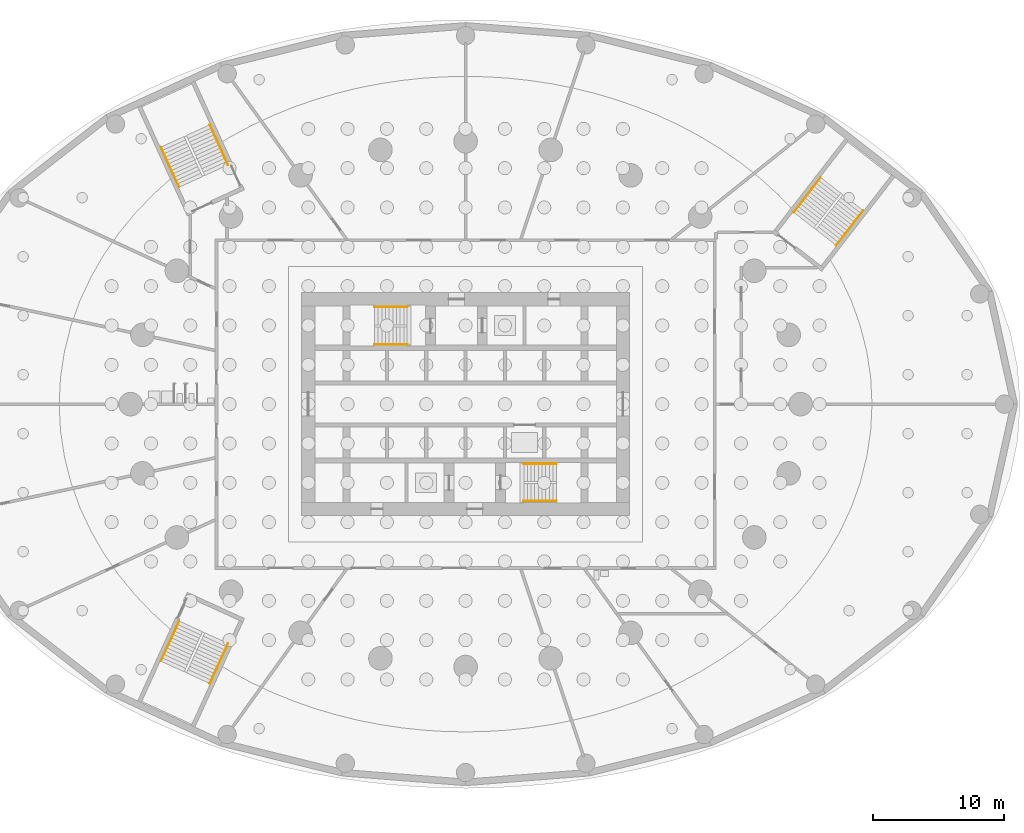
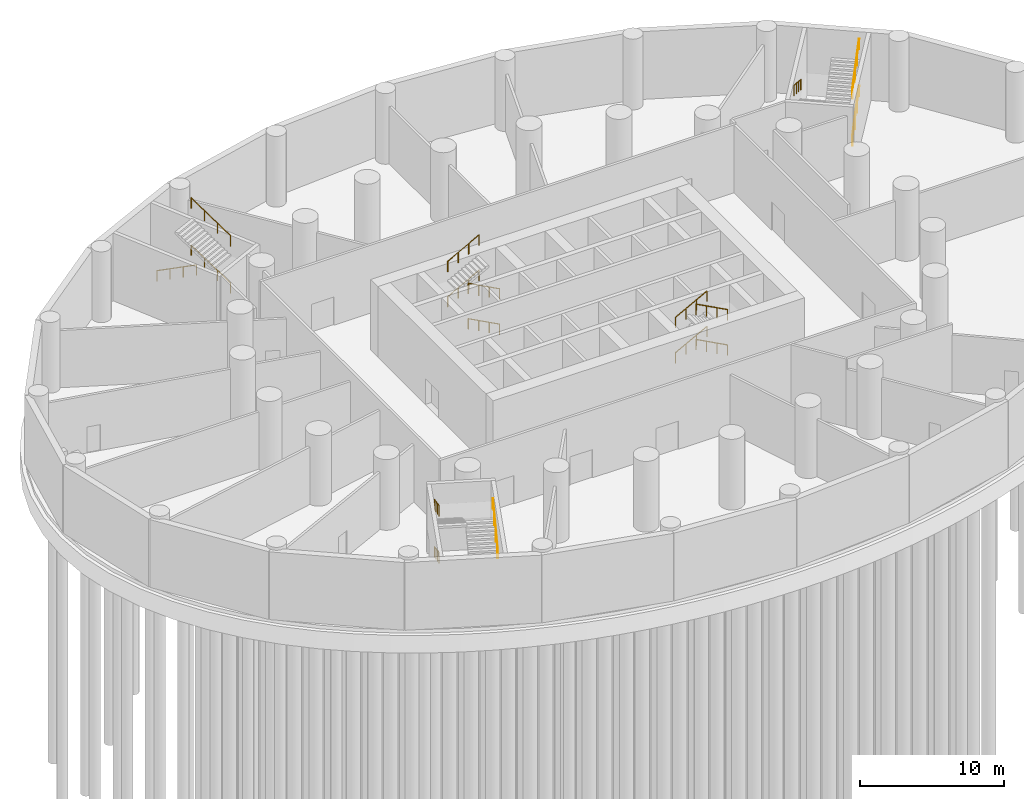
# One storey, part 9 of 12: 17 railings.
"""IFC4 building model written with IfcOpenShell, lengths in metres."""

from ifc_helpers import new_model, si_unit, direction, frame, origin, origin_2d, place, context, subcontext, project, spatial, circle, extrude, material, type_object, element, save


model = new_model("IFC4")

# Units and contexts
model_context = context("Model", 3, precision=1e-05, world=origin(), true_north=direction((0.0, 1.0)))
body_context = subcontext(model_context, "Body", "Model", "MODEL_VIEW")
ifc_project = project(units=[si_unit("LENGTHUNIT", "METRE"), si_unit("AREAUNIT", "SQUARE_METRE"), si_unit("VOLUMEUNIT", "CUBIC_METRE"), si_unit("PLANEANGLEUNIT", "RADIAN"), si_unit("MASSUNIT", "GRAM", prefix="KILO")], contexts=[model_context])

# Site, building, storey
site_placement = place(None, origin())
site = spatial("IfcSite", under=ifc_project, at=site_placement, CompositionType="ELEMENT")
building_placement = place(site_placement, origin())
building = spatial("IfcBuilding", under=site, at=building_placement, Name="Hankou Lantern Tower", CompositionType="ELEMENT")
storey_placement = place(building_placement, frame((0.0, 0.0, -6.0)))
storey = spatial("IfcBuildingStorey", under=building, at=storey_placement, Name="B1", CompositionType="ELEMENT", Elevation=-6.0)

# Railings
ifc_material = material(Name="Steel handrail", Category="steel")
railing_type = type_object("IfcRailingType", Name="HR1 STAIR HANDRAIL", PredefinedType="HANDRAIL", material=ifc_material)
railing_1_placement = place(storey_placement, frame((-4.429931640625, 4.550048828125, 0.89990234375)))
element("IfcRailing", 1, at=railing_1_placement, inside=storey, type_object=railing_type, Name="Handrail stair STA B1 flight 1", PredefinedType="HANDRAIL", context=body_context, shape_type="SweptSolid", body=[
    extrude(circle(Radius=0.02392578125, at=origin_2d()), frame((0.0, 0.0, 0.8759765625), z_axis=(-0.881467274426, 0.0, 0.472245110209), x_axis=(0.0, -1.0, 0.0)), (0.0, 0.0, 1.0), 2.85888671875),
    extrude(circle(Radius=0.02099609375, at=origin_2d()), origin(), (0.0, 0.0, 1.0), 0.851806640625),
    extrude(circle(Radius=0.02099609375, at=origin_2d()), frame((-0.840087890625, 0.0, 0.449951171875)), (0.0, 0.0, 1.0), 0.851806640625),
    extrude(circle(Radius=0.02099609375, at=origin_2d()), frame((-1.679931640625, 0.0, 0.900146484375)), (0.0, 0.0, 1.0), 0.851806640625),
    extrude(circle(Radius=0.02099609375, at=origin_2d()), frame((-2.52001953125, 0.0, 1.35009765625)), (0.0, 0.0, 1.0), 0.851806640625),
])
railing_2_placement = place(storey_placement, frame((-6.949951171875, 7.39990234375, 2.39990234375)))
element("IfcRailing", 2, at=railing_2_placement, inside=storey, type_object=railing_type, Name="Handrail stair STA B1 flight 2", PredefinedType="HANDRAIL", context=body_context, shape_type="SweptSolid", body=[
    extrude(circle(Radius=0.02392578125, at=origin_2d()), frame((0.0, 0.0, 0.8759765625), z_axis=(0.881467274426, 0.0, 0.472245110209), x_axis=(0.0, 1.0, 0.0)), (0.0, 0.0, 1.0), 2.85888671875),
    extrude(circle(Radius=0.02099609375, at=origin_2d()), origin(), (0.0, 0.0, 1.0), 0.851806640625),
    extrude(circle(Radius=0.02099609375, at=origin_2d()), frame((0.840087890625, 0.0, 0.449951171875)), (0.0, 0.0, 1.0), 0.851806640625),
    extrude(circle(Radius=0.02099609375, at=origin_2d()), frame((1.679931640625, 0.0, 0.900146484375)), (0.0, 0.0, 1.0), 0.851806640625),
    extrude(circle(Radius=0.02099609375, at=origin_2d()), frame((2.52001953125, 0.0, 1.35009765625)), (0.0, 0.0, 1.0), 0.851806640625),
])
railing_3_placement = place(storey_placement, frame((-4.429931640625, 4.550048828125, 3.89990234375)))
element("IfcRailing", 3, at=railing_3_placement, inside=storey, type_object=railing_type, Name="Handrail stair STA B1 flight 3", PredefinedType="HANDRAIL", context=body_context, shape_type="SweptSolid", body=[
    extrude(circle(Radius=0.02392578125, at=origin_2d()), frame((0.0, 0.0, 0.8759765625), z_axis=(-0.881467274426, 0.0, 0.472245110209), x_axis=(0.0, -1.0, 0.0)), (0.0, 0.0, 1.0), 2.85888671875),
    extrude(circle(Radius=0.02099609375, at=origin_2d()), origin(), (0.0, 0.0, 1.0), 0.851806640625),
    extrude(circle(Radius=0.02099609375, at=origin_2d()), frame((-0.840087890625, 0.0, 0.449951171875)), (0.0, 0.0, 1.0), 0.851806640625),
    extrude(circle(Radius=0.02099609375, at=origin_2d()), frame((-1.679931640625, 0.0, 0.900146484375)), (0.0, 0.0, 1.0), 0.851806640625),
    extrude(circle(Radius=0.02099609375, at=origin_2d()), frame((-2.52001953125, 0.0, 1.35009765625)), (0.0, 0.0, 1.0), 0.851806640625),
])
for number, where, name in (
    (4, (-6.949951171875, 7.39990234375, 5.39990234375), "Handrail stair STA B1 flight 4"),
    (5, (4.429931640625, -4.550048828125, 0.89990234375), "Handrail stair STB B1 flight 1"),
):
    element("IfcRailing", number, at=place(storey_placement, frame(where)), inside=storey, type_object=railing_type, Name=name, PredefinedType="HANDRAIL", context=body_context, shape_type="SweptSolid", body=[
        extrude(circle(Radius=0.02392578125, at=origin_2d()), frame((0.0, 0.0, 0.8759765625), z_axis=(0.881467274426, 0.0, 0.472245110209), x_axis=(0.0, 1.0, 0.0)), (0.0, 0.0, 1.0), 2.85888671875),
        extrude(circle(Radius=0.02099609375, at=origin_2d()), origin(), (0.0, 0.0, 1.0), 0.851806640625),
        extrude(circle(Radius=0.02099609375, at=origin_2d()), frame((0.840087890625, 0.0, 0.449951171875)), (0.0, 0.0, 1.0), 0.851806640625),
        extrude(circle(Radius=0.02099609375, at=origin_2d()), frame((1.679931640625, 0.0, 0.900146484375)), (0.0, 0.0, 1.0), 0.851806640625),
        extrude(circle(Radius=0.02099609375, at=origin_2d()), frame((2.52001953125, 0.0, 1.35009765625)), (0.0, 0.0, 1.0), 0.851806640625),
    ])
railing_4_placement = place(storey_placement, frame((6.949951171875, -7.39990234375, 2.39990234375)))
element("IfcRailing", 6, at=railing_4_placement, inside=storey, type_object=railing_type, Name="Handrail stair STB B1 flight 2", PredefinedType="HANDRAIL", context=body_context, shape_type="SweptSolid", body=[
    extrude(circle(Radius=0.02392578125, at=origin_2d()), frame((0.0, 0.0, 0.8759765625), z_axis=(-0.881467274426, 0.0, 0.472245110209), x_axis=(0.0, -1.0, 0.0)), (0.0, 0.0, 1.0), 2.85888671875),
    extrude(circle(Radius=0.02099609375, at=origin_2d()), origin(), (0.0, 0.0, 1.0), 0.851806640625),
    extrude(circle(Radius=0.02099609375, at=origin_2d()), frame((-0.840087890625, 0.0, 0.449951171875)), (0.0, 0.0, 1.0), 0.851806640625),
    extrude(circle(Radius=0.02099609375, at=origin_2d()), frame((-1.679931640625, 0.0, 0.900146484375)), (0.0, 0.0, 1.0), 0.851806640625),
    extrude(circle(Radius=0.02099609375, at=origin_2d()), frame((-2.52001953125, 0.0, 1.35009765625)), (0.0, 0.0, 1.0), 0.851806640625),
])
railing_5_placement = place(storey_placement, frame((4.429931640625, -4.550048828125, 3.89990234375)))
element("IfcRailing", 7, at=railing_5_placement, inside=storey, type_object=railing_type, Name="Handrail stair STB B1 flight 3", PredefinedType="HANDRAIL", context=body_context, shape_type="SweptSolid", body=[
    extrude(circle(Radius=0.02392578125, at=origin_2d()), frame((0.0, 0.0, 0.8759765625), z_axis=(0.881467274426, 0.0, 0.472245110209), x_axis=(0.0, 1.0, 0.0)), (0.0, 0.0, 1.0), 2.85888671875),
    extrude(circle(Radius=0.02099609375, at=origin_2d()), origin(), (0.0, 0.0, 1.0), 0.851806640625),
    extrude(circle(Radius=0.02099609375, at=origin_2d()), frame((0.840087890625, 0.0, 0.449951171875)), (0.0, 0.0, 1.0), 0.851806640625),
    extrude(circle(Radius=0.02099609375, at=origin_2d()), frame((1.679931640625, 0.0, 0.900146484375)), (0.0, 0.0, 1.0), 0.851806640625),
    extrude(circle(Radius=0.02099609375, at=origin_2d()), frame((2.52001953125, 0.0, 1.35009765625)), (0.0, 0.0, 1.0), 0.851806640625),
])
railing_6_placement = place(storey_placement, frame((6.949951171875, -7.39990234375, 5.39990234375)))
element("IfcRailing", 8, at=railing_6_placement, inside=storey, type_object=railing_type, Name="Handrail stair STB B1 flight 4", PredefinedType="HANDRAIL", context=body_context, shape_type="SweptSolid", body=[
    extrude(circle(Radius=0.02392578125, at=origin_2d()), frame((0.0, 0.0, 0.8759765625), z_axis=(-0.881467274426, 0.0, 0.472245110209), x_axis=(0.0, -1.0, 0.0)), (0.0, 0.0, 1.0), 2.85888671875),
    extrude(circle(Radius=0.02099609375, at=origin_2d()), origin(), (0.0, 0.0, 1.0), 0.851806640625),
    extrude(circle(Radius=0.02099609375, at=origin_2d()), frame((-0.840087890625, 0.0, 0.449951171875)), (0.0, 0.0, 1.0), 0.851806640625),
    extrude(circle(Radius=0.02099609375, at=origin_2d()), frame((-1.679931640625, 0.0, 0.900146484375)), (0.0, 0.0, 1.0), 0.851806640625),
    extrude(circle(Radius=0.02099609375, at=origin_2d()), frame((-2.52001953125, 0.0, 1.35009765625)), (0.0, 0.0, 1.0), 0.851806640625),
])
railing_7_placement = place(storey_placement, frame((28.264404296875, 12.118896484375, 0.89990234375)))
element("IfcRailing", 9, at=railing_7_placement, inside=storey, type_object=railing_type, Name="Handrail stair BS1 B1 flight 1", PredefinedType="HANDRAIL", context=body_context, shape_type="SweptSolid", body=[
    extrude(circle(Radius=0.02392578125, at=origin_2d()), frame((0.0, 0.0, 0.8759765625), z_axis=(0.53716641686, 0.692489344035, 0.481571125583), x_axis=(-0.79014582769, 0.612918894295, 0.0)), (0.0, 0.0, 1.0), 3.833740234375),
    extrude(circle(Radius=0.02099609375, at=origin_2d()), origin(), (0.0, 0.0, 1.0), 0.851806640625),
    extrude(circle(Radius=0.02099609375, at=origin_2d()), frame((0.6865234375, 0.885009765625, 0.615478515625)), (0.0, 0.0, 1.0), 0.851806640625),
    extrude(circle(Radius=0.02099609375, at=origin_2d()), frame((1.372802734375, 1.769775390625, 1.230712890625)), (0.0, 0.0, 1.0), 0.851806640625),
    extrude(circle(Radius=0.02099609375, at=origin_2d()), frame((2.059326171875, 2.65478515625, 1.84619140625)), (0.0, 0.0, 1.0), 0.851806640625),
])
railing_8_placement = place(storey_placement, frame((27.084228515625, 17.286865234375, 2.89990234375)))
element("IfcRailing", 10, at=railing_8_placement, inside=storey, type_object=railing_type, Name="Handrail stair BS1 B1 flight 2", PredefinedType="HANDRAIL", context=body_context, shape_type="SweptSolid", body=[
    extrude(circle(Radius=0.02392578125, at=origin_2d()), frame((0.0, 0.0, 0.8759765625), z_axis=(-0.537142728393, -0.692522486221, 0.48154988881), x_axis=(0.790173122906, -0.612883704985, 0.0)), (0.0, 0.0, 1.0), 3.833740234375),
    extrude(circle(Radius=0.02099609375, at=origin_2d()), origin(), (0.0, 0.0, 1.0), 0.851806640625),
    extrude(circle(Radius=0.02099609375, at=origin_2d()), frame((-0.6865234375, -0.885009765625, 0.615478515625)), (0.0, 0.0, 1.0), 0.851806640625),
    extrude(circle(Radius=0.02099609375, at=origin_2d()), frame((-1.372802734375, -1.77001953125, 1.230712890625)), (0.0, 0.0, 1.0), 0.851806640625),
    extrude(circle(Radius=0.02099609375, at=origin_2d()), frame((-2.059326171875, -2.655029296875, 1.84619140625)), (0.0, 0.0, 1.0), 0.851806640625),
])
railing_9_placement = place(storey_placement, frame((28.264404296875, 12.118896484375, 4.89990234375)))
element("IfcRailing", 11, at=railing_9_placement, inside=storey, type_object=railing_type, Name="Handrail stair BS1 B1 flight 3", PredefinedType="HANDRAIL", context=body_context, shape_type="SweptSolid", body=[
    extrude(circle(Radius=0.02392578125, at=origin_2d()), frame((0.0, 0.0, 0.8759765625), z_axis=(0.53716641686, 0.692489344035, 0.481571125583), x_axis=(-0.79014582769, 0.612918894295, 0.0)), (0.0, 0.0, 1.0), 3.833740234375),
    extrude(circle(Radius=0.02099609375, at=origin_2d()), origin(), (0.0, 0.0, 1.0), 0.851806640625),
    extrude(circle(Radius=0.02099609375, at=origin_2d()), frame((0.6865234375, 0.885009765625, 0.615478515625)), (0.0, 0.0, 1.0), 0.851806640625),
    extrude(circle(Radius=0.02099609375, at=origin_2d()), frame((1.372802734375, 1.769775390625, 1.230712890625)), (0.0, 0.0, 1.0), 0.851806640625),
    extrude(circle(Radius=0.02099609375, at=origin_2d()), frame((2.059326171875, 2.65478515625, 1.84619140625)), (0.0, 0.0, 1.0), 0.851806640625),
])
railing_10_placement = place(storey_placement, frame((-18.117431640625, 18.250244140625, 0.89990234375)))
element("IfcRailing", 12, at=railing_10_placement, inside=storey, type_object=railing_type, Name="Handrail stair BS2 B1 flight 1", PredefinedType="HANDRAIL", context=body_context, shape_type="SweptSolid", body=[
    extrude(circle(Radius=0.02392578125, at=origin_2d()), frame((0.0, 0.0, 0.8759765625), z_axis=(-0.363990130629, 0.797263197249, 0.481541876805), x_axis=(-0.909678456068, -0.41531326317, 0.0)), (0.0, 0.0, 1.0), 3.833984375),
    extrude(circle(Radius=0.02099609375, at=origin_2d()), origin(), (0.0, 0.0, 1.0), 0.851806640625),
    extrude(circle(Radius=0.02099609375, at=origin_2d()), frame((-0.465087890625, 1.018798828125, 0.615478515625)), (0.0, 0.0, 1.0), 0.851806640625),
    extrude(circle(Radius=0.02099609375, at=origin_2d()), frame((-0.930419921875, 2.037841796875, 1.230712890625)), (0.0, 0.0, 1.0), 0.851806640625),
    extrude(circle(Radius=0.02099609375, at=origin_2d()), frame((-1.3955078125, 3.056640625, 1.84619140625)), (0.0, 0.0, 1.0), 0.851806640625),
])
railing_11_placement = place(storey_placement, frame((-23.24267578125, 19.60400390625, 2.89990234375)))
element("IfcRailing", 13, at=railing_11_placement, inside=storey, type_object=railing_type, Name="Handrail stair BS2 B1 flight 2", PredefinedType="HANDRAIL", context=body_context, shape_type="SweptSolid", body=[
    extrude(circle(Radius=0.02392578125, at=origin_2d()), frame((0.0, 0.0, 0.8759765625), z_axis=(0.364008610734, -0.797239992614, 0.481566325118), x_axis=(0.909665922399, 0.415340715108, 0.0)), (0.0, 0.0, 1.0), 3.833740234375),
    extrude(circle(Radius=0.02099609375, at=origin_2d()), origin(), (0.0, 0.0, 1.0), 0.851806640625),
    extrude(circle(Radius=0.02099609375, at=origin_2d()), frame((0.465087890625, -1.018798828125, 0.615478515625)), (0.0, 0.0, 1.0), 0.851806640625),
    extrude(circle(Radius=0.02099609375, at=origin_2d()), frame((0.930419921875, -2.03759765625, 1.230712890625)), (0.0, 0.0, 1.0), 0.851806640625),
    extrude(circle(Radius=0.02099609375, at=origin_2d()), frame((1.3955078125, -3.056396484375, 1.84619140625)), (0.0, 0.0, 1.0), 0.851806640625),
])
railing_12_placement = place(storey_placement, frame((-18.117431640625, 18.250244140625, 4.89990234375)))
element("IfcRailing", 14, at=railing_12_placement, inside=storey, type_object=railing_type, Name="Handrail stair BS2 B1 flight 3", PredefinedType="HANDRAIL", context=body_context, shape_type="SweptSolid", body=[
    extrude(circle(Radius=0.02392578125, at=origin_2d()), frame((0.0, 0.0, 0.8759765625), z_axis=(-0.363990130629, 0.797263197249, 0.481541876805), x_axis=(-0.909678456068, -0.41531326317, 0.0)), (0.0, 0.0, 1.0), 3.833984375),
    extrude(circle(Radius=0.02099609375, at=origin_2d()), origin(), (0.0, 0.0, 1.0), 0.851806640625),
    extrude(circle(Radius=0.02099609375, at=origin_2d()), frame((-0.465087890625, 1.018798828125, 0.615478515625)), (0.0, 0.0, 1.0), 0.851806640625),
    extrude(circle(Radius=0.02099609375, at=origin_2d()), frame((-0.930419921875, 2.037841796875, 1.230712890625)), (0.0, 0.0, 1.0), 0.851806640625),
    extrude(circle(Radius=0.02099609375, at=origin_2d()), frame((-1.3955078125, 3.056640625, 1.84619140625)), (0.0, 0.0, 1.0), 0.851806640625),
])
railing_13_placement = place(storey_placement, frame((-21.84716796875, -16.547607421875, 0.89990234375)))
element("IfcRailing", 15, at=railing_13_placement, inside=storey, type_object=railing_type, Name="Handrail stair BS3 B1 flight 1", PredefinedType="HANDRAIL", context=body_context, shape_type="SweptSolid", body=[
    extrude(circle(Radius=0.02392578125, at=origin_2d()), frame((0.0, 0.0, 0.8759765625), z_axis=(-0.364008610734, -0.797239992614, 0.481566325118), x_axis=(0.909665922399, -0.415340715108, 0.0)), (0.0, 0.0, 1.0), 3.833740234375),
    extrude(circle(Radius=0.02099609375, at=origin_2d()), origin(), (0.0, 0.0, 1.0), 0.851806640625),
    extrude(circle(Radius=0.02099609375, at=origin_2d()), frame((-0.465087890625, -1.018798828125, 0.615478515625)), (0.0, 0.0, 1.0), 0.851806640625),
    extrude(circle(Radius=0.02099609375, at=origin_2d()), frame((-0.930419921875, -2.03759765625, 1.230712890625)), (0.0, 0.0, 1.0), 0.851806640625),
    extrude(circle(Radius=0.02099609375, at=origin_2d()), frame((-1.3955078125, -3.056396484375, 1.84619140625)), (0.0, 0.0, 1.0), 0.851806640625),
])
railing_14_placement = place(storey_placement, frame((-19.512939453125, -21.306884765625, 2.89990234375)))
element("IfcRailing", 16, at=railing_14_placement, inside=storey, type_object=railing_type, Name="Handrail stair BS3 B1 flight 2", PredefinedType="HANDRAIL", context=body_context, shape_type="SweptSolid", body=[
    extrude(circle(Radius=0.02392578125, at=origin_2d()), frame((0.0, 0.0, 0.8759765625), z_axis=(0.363990130629, 0.797263197249, 0.481541876805), x_axis=(-0.909678456068, 0.41531326317, 0.0)), (0.0, 0.0, 1.0), 3.833984375),
    extrude(circle(Radius=0.02099609375, at=origin_2d()), origin(), (0.0, 0.0, 1.0), 0.851806640625),
    extrude(circle(Radius=0.02099609375, at=origin_2d()), frame((0.465087890625, 1.018798828125, 0.615478515625)), (0.0, 0.0, 1.0), 0.851806640625),
    extrude(circle(Radius=0.02099609375, at=origin_2d()), frame((0.930419921875, 2.037841796875, 1.230712890625)), (0.0, 0.0, 1.0), 0.851806640625),
    extrude(circle(Radius=0.02099609375, at=origin_2d()), frame((1.3955078125, 3.056640625, 1.84619140625)), (0.0, 0.0, 1.0), 0.851806640625),
])
railing_15_placement = place(storey_placement, frame((-21.84716796875, -16.547607421875, 4.89990234375)))
element("IfcRailing", 17, at=railing_15_placement, inside=storey, type_object=railing_type, Name="Handrail stair BS3 B1 flight 3", PredefinedType="HANDRAIL", context=body_context, shape_type="SweptSolid", body=[
    extrude(circle(Radius=0.02392578125, at=origin_2d()), frame((0.0, 0.0, 0.8759765625), z_axis=(-0.364008610734, -0.797239992614, 0.481566325118), x_axis=(0.909665922399, -0.415340715108, 0.0)), (0.0, 0.0, 1.0), 3.833740234375),
    extrude(circle(Radius=0.02099609375, at=origin_2d()), origin(), (0.0, 0.0, 1.0), 0.851806640625),
    extrude(circle(Radius=0.02099609375, at=origin_2d()), frame((-0.465087890625, -1.018798828125, 0.615478515625)), (0.0, 0.0, 1.0), 0.851806640625),
    extrude(circle(Radius=0.02099609375, at=origin_2d()), frame((-0.930419921875, -2.03759765625, 1.230712890625)), (0.0, 0.0, 1.0), 0.851806640625),
    extrude(circle(Radius=0.02099609375, at=origin_2d()), frame((-1.3955078125, -3.056396484375, 1.84619140625)), (0.0, 0.0, 1.0), 0.851806640625),
])

save(model, "model.ifc")
